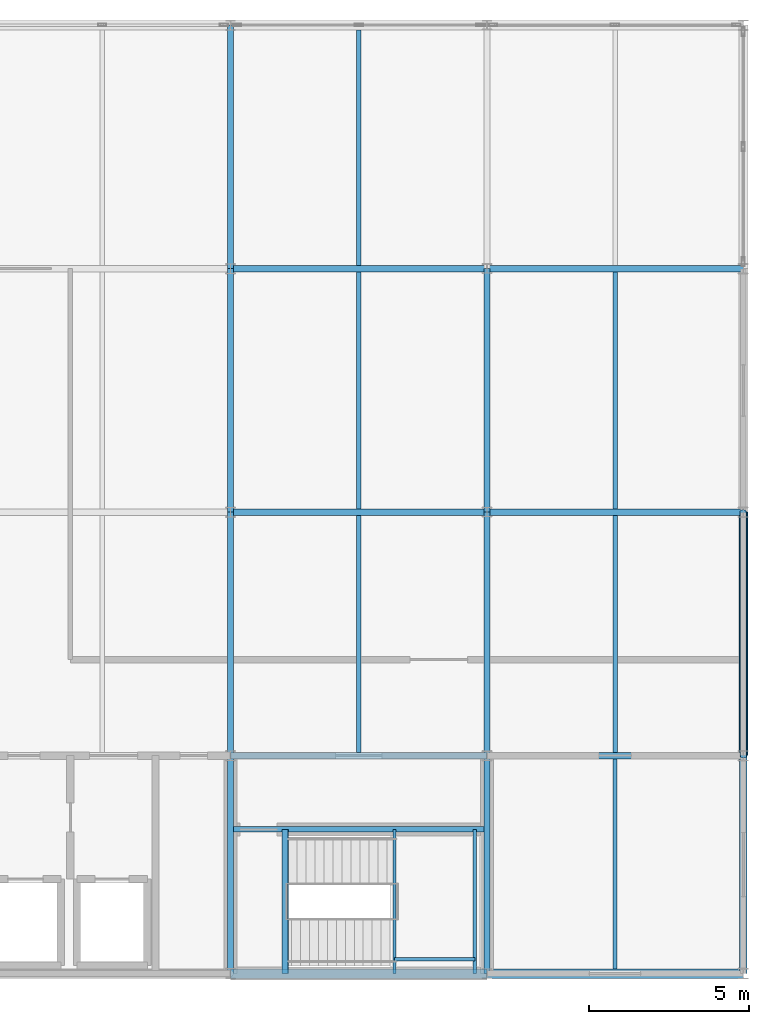
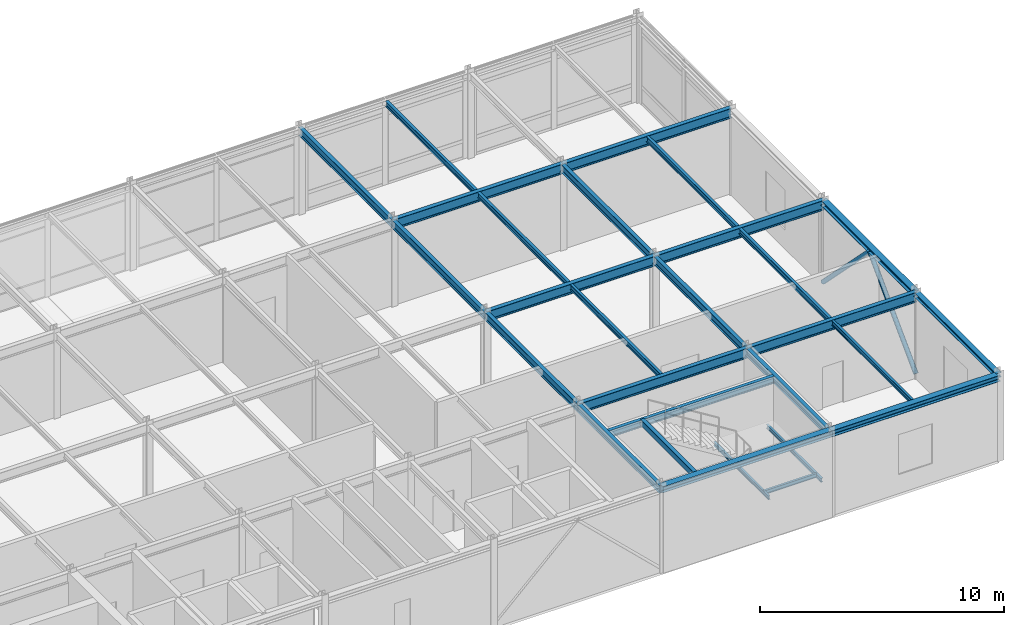
# One storey, part 6 of 12: 28 beams, 2 members.
"""IFC4 building model written with IfcOpenShell, lengths in metres."""

import ifcopenshell
import ifcopenshell.guid

model = None  # the IFC model being written
_history = None  # IfcOwnerHistory: only IFC2X3 demands one
_inside = {}  # id of a spatial element -> (the spatial element, [elements in it])
_under = {}  # id of a project, library or spatial element -> (it, [spatial elements below it])
_declared = {}  # id of a project -> (the project, [libraries it declares])
_typed = {}  # id of a type object -> (the type object, [elements of that type])
_made_of = {}  # id of a material, layer set ... -> (it, [elements and type objects made of it])


def new_model(schema):
    """Start an empty IFC model of exactly this schema.

    Asked for "IFC4X3", IfcOpenShell would pick the latest addendum, in which some entities
    have other attributes; the version numbers below select the first issue.
    IFC2X3 requires an IfcOwnerHistory on every rooted entity: one is made here for all.
    """
    global model, _history
    if schema == "IFC4X3":
        model = ifcopenshell.file(schema_version=(4, 3, 0, 0))
    else:
        model = ifcopenshell.file(schema=schema)
    _inside.clear()
    _under.clear()
    _declared.clear()
    _typed.clear()
    _made_of.clear()
    _history = None
    if model.schema == "IFC2X3":
        org = make("IfcOrganization", Name="unknown")
        user = make(
            "IfcPersonAndOrganization",
            ThePerson=make("IfcPerson", FamilyName="unknown"),
            TheOrganization=org,
        )
        app = make(
            "IfcApplication",
            ApplicationDeveloper=org,
            Version="unknown",
            ApplicationFullName="unknown",
            ApplicationIdentifier="unknown",
        )
        _history = make(
            "IfcOwnerHistory",
            OwningUser=user,
            OwningApplication=app,
            ChangeAction="ADDED",
            CreationDate=0,
        )
    return model


def make(cls, **values):
    """One entity of the class cls with the attributes given. An attribute that is None is left unset."""
    return model.create_entity(
        cls, **{name: value for name, value in values.items() if value is not None}
    )


def rooted(cls, **values):
    """An entity with a GlobalId (a new one), such as an element, a storey or a relation."""
    return make(cls, GlobalId=ifcopenshell.guid.new(), OwnerHistory=_history, **values)


def si_unit(unit_type, name, prefix=None):
    """IfcSIUnit, for example si_unit("LENGTHUNIT", "METRE", prefix="MILLI")."""
    return make("IfcSIUnit", UnitType=unit_type, Prefix=prefix, Name=name)


def assignment(units):
    """IfcUnitAssignment: the units of a project."""
    return None if units is None else make("IfcUnitAssignment", Units=units)


def point(xyz):
    """IfcCartesianPoint."""
    return None if xyz is None else make("IfcCartesianPoint", Coordinates=xyz)


def direction(xyz):
    """IfcDirection."""
    return None if xyz is None else make("IfcDirection", DirectionRatios=xyz)


def frame(location, z_axis=None, x_axis=None):
    """IfcAxis2Placement3D, a coordinate frame: its origin and axes. An axis left out is left unset."""
    return make(
        "IfcAxis2Placement3D",
        Location=point(location),
        Axis=direction(z_axis),
        RefDirection=direction(x_axis),
    )


def frame_2d(location, x_axis=None):
    """IfcAxis2Placement2D, a coordinate frame in the plane: its origin and x axis."""
    return make(
        "IfcAxis2Placement2D", Location=point(location), RefDirection=direction(x_axis)
    )


def origin():
    """The frame at (0, 0, 0) with its axes left unset."""
    return frame((0.0, 0.0, 0.0))


def origin_2d():
    """The frame at (0, 0) in the plane with its x axis left unset."""
    return frame_2d((0.0, 0.0))


def place(relative_to, where):
    """IfcLocalPlacement: puts the frame where relative to a parent placement (None: the world)."""
    return make(
        "IfcLocalPlacement", PlacementRelTo=relative_to, RelativePlacement=where
    )


def context(
    kind, dimensions, precision=None, world=None, true_north=None, identifier=None
):
    """IfcGeometricRepresentationContext, for example the 3D "Model" context."""
    return make(
        "IfcGeometricRepresentationContext",
        ContextIdentifier=identifier,
        ContextType=kind,
        CoordinateSpaceDimension=dimensions,
        Precision=precision,
        WorldCoordinateSystem=world,
        TrueNorth=true_north,
    )


def subcontext(parent, identifier, kind, view, scale=None):
    """IfcGeometricRepresentationSubContext, for example "Body" below "Model"."""
    return make(
        "IfcGeometricRepresentationSubContext",
        ContextIdentifier=identifier,
        ContextType=kind,
        ParentContext=parent,
        TargetScale=scale,
        TargetView=view,
    )


def project(units=None, contexts=None):
    """IfcProject with its units and contexts."""
    return rooted(
        "IfcProject",
        Name="project",
        RepresentationContexts=contexts,
        UnitsInContext=assignment(units),
    )


def spatial(cls, under=None, at=None, **own):
    """A site, building, storey or space (cls), placed at a placement, below another one or the project."""
    s = rooted(cls, ObjectPlacement=at, **own)
    if under is not None:
        _under.setdefault(under.id(), (under, []))[1].append(s)
    return s


def profile(cls, at=None, kind="AREA", **sizes):
    """A parametric profile (cls). Its sizes go by their IFC names, for example OverallWidth=200.0."""
    return make(cls, ProfileType=kind, Position=at, **sizes)


def hollow_rectangle(**sizes):
    """IfcRectangleHollowProfileDef."""
    return profile("IfcRectangleHollowProfileDef", **sizes)


def hollow_circle(**sizes):
    """IfcCircleHollowProfileDef."""
    return profile("IfcCircleHollowProfileDef", **sizes)


def i_section(**sizes):
    """IfcIShapeProfileDef."""
    return profile("IfcIShapeProfileDef", **sizes)


def extrude(swept, where, along, depth):
    """IfcExtrudedAreaSolid: the profile swept, set in the frame where, extruded along a direction by depth."""
    return make(
        "IfcExtrudedAreaSolid",
        SweptArea=swept,
        Position=where,
        ExtrudedDirection=direction(along),
        Depth=depth,
    )


def shape(context_of_items, identifier, shape_type, items):
    """IfcShapeRepresentation: the items that make up one representation, for example the "Body"."""
    return make(
        "IfcShapeRepresentation",
        ContextOfItems=context_of_items,
        RepresentationIdentifier=identifier,
        RepresentationType=shape_type,
        Items=items,
    )


def material(Name=None, Category=None):
    """IfcMaterial."""
    return make("IfcMaterial", Name=Name, Category=Category)


def material_profile(
    of_material, cross_section, Name=None, Category=None, Priority=None
):
    """IfcMaterialProfile: a cross section and its material."""
    return make(
        "IfcMaterialProfile",
        Name=Name,
        Material=of_material,
        Profile=cross_section,
        Priority=Priority,
        Category=Category,
    )


def profile_set(profiles, Name=None, composite=None):
    """IfcMaterialProfileSet."""
    return make(
        "IfcMaterialProfileSet",
        Name=Name,
        MaterialProfiles=profiles,
        CompositeProfile=composite,
    )


def made_of(thing, what):
    """Note that an element or type object is made of a material, layer set ...; save() writes the relation."""
    if what is not None:
        _made_of.setdefault(what.id(), (what, []))[1].append(thing)
    return thing


def type_object(cls, material=None, **own):
    """A type object (cls), such as IfcWallType, which elements share."""
    return made_of(rooted(cls, **own), material)


def element(
    cls,
    number,
    at=None,
    inside=None,
    cuts=None,
    type_object=None,
    material=None,
    context=None,
    identifier="Body",
    shape_type=None,
    held_by="IfcProductDefinitionShape",
    body=None,
    shapes=None,
    **own,
):
    """One element of the class cls, such as IfcWall. Its Tag is "e" and its number.

    at: its placement. inside: the storey or other place that contains it. cuts: it is an
    opening in that element (IfcRelVoidsElement). A single representation is given by context,
    identifier, shape_type and body (its items); several are given by shapes. held_by: the class
    of the entity that holds the representations. save() writes the other relations.
    """
    e = rooted(cls, Tag="e%d" % number, ObjectPlacement=at, **own)
    if body is not None:
        shapes = [shape(context, identifier, shape_type, body)]
    if shapes is not None:
        e.Representation = make(held_by, Representations=shapes)
    if inside is not None:
        _inside.setdefault(inside.id(), (inside, []))[1].append(e)
    if cuts is not None:
        rooted(
            "IfcRelVoidsElement", RelatingBuildingElement=cuts, RelatedOpeningElement=e
        )
    if type_object is not None:
        _typed.setdefault(type_object.id(), (type_object, []))[1].append(e)
    return made_of(e, material)


def aggregate(whole, parts):
    """IfcRelAggregates: a whole, such as a stair, and the parts it consists of."""
    return rooted("IfcRelAggregates", RelatingObject=whole, RelatedObjects=parts)


def save(model, path):
    """Write the relations noted so far, then the file.

    IfcRelAggregates (storeys below a building ...), IfcRelContainedInSpatialStructure (elements
    in a storey), IfcRelDefinesByType, IfcRelAssociatesMaterial and IfcRelDeclares: one each for
    every whole, place, type object, material and project.
    """
    for whole, parts in _under.values():
        aggregate(whole, parts)
    for where, things in _inside.values():
        rooted(
            "IfcRelContainedInSpatialStructure",
            RelatedElements=things,
            RelatingStructure=where,
        )
    for kind, things in _typed.values():
        rooted("IfcRelDefinesByType", RelatedObjects=things, RelatingType=kind)
    for what, things in _made_of.values():
        rooted("IfcRelAssociatesMaterial", RelatedObjects=things, RelatingMaterial=what)
    for by, libraries in _declared.values():
        rooted("IfcRelDeclares", RelatingContext=by, RelatedDefinitions=libraries)
    model.write(path)


model = new_model("IFC4")

# Units and contexts
model_context = context("Model", 3, precision=1e-05, world=origin(), true_north=direction((0.0, 1.0)))
body_context = subcontext(model_context, "Body", "Model", "MODEL_VIEW")
ifc_project = project(units=[si_unit("LENGTHUNIT", "METRE"), si_unit("AREAUNIT", "SQUARE_METRE"), si_unit("VOLUMEUNIT", "CUBIC_METRE"), si_unit("PLANEANGLEUNIT", "RADIAN"), si_unit("MASSUNIT", "GRAM", prefix="KILO")], contexts=[model_context])

# Site, building, storey
site_placement = place(None, origin())
site = spatial("IfcSite", under=ifc_project, at=site_placement, CompositionType="ELEMENT")
building_placement = place(site_placement, origin())
building = spatial("IfcBuilding", under=site, at=building_placement, Name="Shalkamar Park Central Library", CompositionType="ELEMENT")
storey_placement = place(building_placement, frame((0.0, 0.0, 67.800048828125)))
storey = spatial("IfcBuildingStorey", under=building, at=storey_placement, Name="L17", CompositionType="ELEMENT", Elevation=67.800048828125)

# Beams
ifc_material = material(Name="Steel S355", Category="steel")
ifc_material_profile_1 = material_profile(ifc_material, i_section(OverallWidth=0.10009765625, OverallDepth=0.199951171875, WebThickness=0.005615234375, FlangeThickness=0.008544921875, FilletRadius=0.011962890625, at=origin_2d()), Name="IPE 200")
ifc_profile_set_1 = profile_set([ifc_material_profile_1], Name="Steel S355")
beam_type_1 = type_object("IfcBeamType", Name="Composite Floor Joist IPE200", PredefinedType="JOIST", material=ifc_profile_set_1)
for number, where, z_axis, x_axis, name in (
    (1, (202.1201171875, 248.39990234375, 1.869873046875), (0.0, 1.0, 0.0), (-1.0, 0.0, 0.0), "Stair Half-Landing Beam ST-T2-L17-1"),
    (2, (204.6201171875, 248.39990234375, 1.869873046875), (0.0, 1.0, 0.0), (-1.0, 0.0, 0.0), "Stair Half-Landing Beam ST-T2-L17-2"),
):
    element("IfcBeam", number, at=place(storey_placement, frame(where, z_axis=z_axis, x_axis=x_axis)), inside=storey, type_object=beam_type_1, Name=name, PredefinedType="JOIST", context=body_context, shape_type="SweptSolid", body=[
        extrude(i_section(OverallWidth=0.10009765625, OverallDepth=0.199951171875, WebThickness=0.005615234375, FlangeThickness=0.008544921875, FilletRadius=0.011962890625, at=origin_2d()), origin(), (0.0, 0.0, 1.0), 4.5),
    ])
beam_1_placement = place(storey_placement, frame((202.1201171875, 248.85009765625, 1.869873046875), z_axis=(1.0, 0.0, 0.0), x_axis=(0.0, 1.0, 0.0)))
element("IfcBeam", 3, at=beam_1_placement, inside=storey, type_object=beam_type_1, Name="Stair Half-Landing Cross Tie ST-T2-L17-3", PredefinedType="JOIST", context=body_context, shape_type="SweptSolid", body=[
    extrude(i_section(OverallWidth=0.10009765625, OverallDepth=0.199951171875, WebThickness=0.005615234375, FlangeThickness=0.008544921875, FilletRadius=0.011962890625, at=origin_2d()), origin(), (0.0, 0.0, 1.0), 2.5),
])
ifc_material_profile_2 = material_profile(ifc_material, i_section(OverallWidth=0.1201171875, OverallDepth=0.239990234375, WebThickness=0.006103515625, FlangeThickness=0.009765625, FilletRadius=0.014892578125, at=origin_2d()), Name="IPE 240")
ifc_profile_set_2 = profile_set([ifc_material_profile_2], Name="Steel S355")
beam_type_2 = type_object("IfcBeamType", Name="Composite Floor Joist IPE240", PredefinedType="JOIST", material=ifc_profile_set_2)
beam_2_placement = place(storey_placement, frame((209.0, 248.548095703125, 4.179931640625), z_axis=(0.0, 1.0, 0.0), x_axis=(-1.0, 0.0, 0.0)))
element("IfcBeam", 4, at=beam_2_placement, inside=storey, type_object=beam_type_2, Name="Composite Joist 12/B-1 (L17)", PredefinedType="JOIST", context=body_context, shape_type="SweptSolid", body=[
    extrude(i_section(OverallWidth=0.1201171875, OverallDepth=0.239990234375, WebThickness=0.006103515625, FlangeThickness=0.009765625, FilletRadius=0.014892578125, at=origin_2d()), origin(), (0.0, 0.0, 1.0), 6.553955078125),
])
ifc_material_profile_3 = material_profile(ifc_material, i_section(OverallWidth=0.135009765625, OverallDepth=0.27001953125, WebThickness=0.006591796875, FlangeThickness=0.01025390625, FilletRadius=0.014892578125, at=origin_2d()), Name="IPE 270")
ifc_profile_set_3 = profile_set([ifc_material_profile_3], Name="Steel S355")
beam_type_3 = type_object("IfcBeamType", Name="Composite Floor Joist IPE270", PredefinedType="JOIST", material=ifc_profile_set_3)
beam_3_placement = place(storey_placement, frame((201.0, 255.298095703125, 4.1650390625), z_axis=(0.0, 1.0, 0.0), x_axis=(-1.0, 0.0, 0.0)))
element("IfcBeam", 5, at=beam_3_placement, inside=storey, type_object=beam_type_3, Name="Composite Joist 11/C-1 (L17)", PredefinedType="JOIST", context=body_context, shape_type="SweptSolid", body=[
    extrude(i_section(OverallWidth=0.135009765625, OverallDepth=0.27001953125, WebThickness=0.006591796875, FlangeThickness=0.01025390625, FilletRadius=0.014892578125, at=origin_2d()), origin(), (0.0, 0.0, 1.0), 7.40380859375),
])
beam_4_placement = place(storey_placement, frame((201.0, 262.89794921875, 4.1650390625), z_axis=(0.0, 1.0, 0.0), x_axis=(-1.0, 0.0, 0.0)))
element("IfcBeam", 6, at=beam_4_placement, inside=storey, type_object=beam_type_3, Name="Composite Joist 11/D-1 (L17)", PredefinedType="JOIST", context=body_context, shape_type="SweptSolid", body=[
    extrude(i_section(OverallWidth=0.135009765625, OverallDepth=0.27001953125, WebThickness=0.006591796875, FlangeThickness=0.01025390625, FilletRadius=0.014892578125, at=origin_2d()), origin(), (0.0, 0.0, 1.0), 7.404052734375),
])
beam_5_placement = place(storey_placement, frame((201.0, 270.498046875, 4.1650390625), z_axis=(0.0, 1.0, 0.0), x_axis=(-1.0, 0.0, 0.0)))
element("IfcBeam", 7, at=beam_5_placement, inside=storey, type_object=beam_type_3, Name="Composite Joist 11/E-1 (L17)", PredefinedType="JOIST", context=body_context, shape_type="SweptSolid", body=[
    extrude(i_section(OverallWidth=0.135009765625, OverallDepth=0.27001953125, WebThickness=0.006591796875, FlangeThickness=0.01025390625, FilletRadius=0.014892578125, at=origin_2d()), origin(), (0.0, 0.0, 1.0), 7.35400390625),
])
beam_6_placement = place(storey_placement, frame((209.0, 255.298095703125, 4.1650390625), z_axis=(0.0, 1.0, 0.0), x_axis=(-1.0, 0.0, 0.0)))
element("IfcBeam", 8, at=beam_6_placement, inside=storey, type_object=beam_type_3, Name="Composite Joist 12/C-1 (L17)", PredefinedType="JOIST", context=body_context, shape_type="SweptSolid", body=[
    extrude(i_section(OverallWidth=0.135009765625, OverallDepth=0.27001953125, WebThickness=0.006591796875, FlangeThickness=0.01025390625, FilletRadius=0.014892578125, at=origin_2d()), origin(), (0.0, 0.0, 1.0), 7.40380859375),
])
beam_7_placement = place(storey_placement, frame((209.0, 262.89794921875, 4.1650390625), z_axis=(0.0, 1.0, 0.0), x_axis=(-1.0, 0.0, 0.0)))
element("IfcBeam", 9, at=beam_7_placement, inside=storey, type_object=beam_type_3, Name="Composite Joist 12/D-1 (L17)", PredefinedType="JOIST", context=body_context, shape_type="SweptSolid", body=[
    extrude(i_section(OverallWidth=0.135009765625, OverallDepth=0.27001953125, WebThickness=0.006591796875, FlangeThickness=0.01025390625, FilletRadius=0.014892578125, at=origin_2d()), origin(), (0.0, 0.0, 1.0), 7.404052734375),
])

# Members
ifc_material_profile_4 = material_profile(ifc_material, hollow_circle(Radius=0.109619140625, WallThickness=0.010009765625, at=origin_2d()), Name="CHS 219.1x10")
ifc_profile_set_4 = profile_set([ifc_material_profile_4], Name="Steel S355")
member_type = type_object("IfcMemberType", Name="Diagonal Brace CHS219", PredefinedType="BRACE", material=ifc_profile_set_4)
for number, where, z_axis, x_axis, name in (
    (10, (213.0, 255.199951171875, 0.14990234375), (0.0, 0.702465710761, 0.711717588096), (-1.0, 0.0, 0.0), "Chevron Brace TW-E Leg A (L17)"),
    (11, (213.0, 262.800048828125, 0.14990234375), (0.0, -0.702465710761, 0.711717588096), (1.0, 0.0, 0.0), "Chevron Brace TW-E Leg B (L17)"),
):
    element("IfcMember", number, at=place(storey_placement, frame(where, z_axis=z_axis, x_axis=x_axis)), inside=storey, type_object=member_type, Name=name, PredefinedType="BRACE", context=body_context, shape_type="SweptSolid", body=[
        extrude(hollow_circle(Radius=0.109619140625, WallThickness=0.010009765625, at=origin_2d()), origin(), (0.0, 0.0, 1.0), 5.40966796875),
    ])

# Beams
ifc_material_profile_5 = material_profile(ifc_material, i_section(OverallWidth=0.239990234375, OverallDepth=0.22998046875, WebThickness=0.007568359375, FlangeThickness=0.011962890625, FilletRadius=0.02099609375, at=origin_2d()), Name="HEA 240")
ifc_profile_set_5 = profile_set([ifc_material_profile_5], Name="Steel S355")
beam_type_4 = type_object("IfcBeamType", Name="Perimeter Spandrel Beam HEA240", PredefinedType="SPANDREL", material=ifc_profile_set_5)
beam_8_placement = place(storey_placement, frame((213.0, 248.39990234375, 4.18505859375), z_axis=(0.0, 1.0, 0.0), x_axis=(-1.0, 0.0, 0.0)))
element("IfcBeam", 12, at=beam_8_placement, inside=storey, type_object=beam_type_4, Name="Beam 13:B-C (L17)", PredefinedType="SPANDREL", context=body_context, shape_type="SweptSolid", body=[
    extrude(i_section(OverallWidth=0.239990234375, OverallDepth=0.22998046875, WebThickness=0.007568359375, FlangeThickness=0.011962890625, FilletRadius=0.02099609375, at=origin_2d()), origin(), (0.0, 0.0, 1.0), 6.800048828125),
])
ifc_material_profile_6 = material_profile(ifc_material, i_section(OverallWidth=0.280029296875, OverallDepth=0.27001953125, WebThickness=0.008056640625, FlangeThickness=0.012939453125, FilletRadius=0.02392578125, at=origin_2d()), Name="HEA 280")
ifc_profile_set_6 = profile_set([ifc_material_profile_6], Name="Steel S355")
beam_type_5 = type_object("IfcBeamType", Name="Perimeter Spandrel Beam HEA280", PredefinedType="SPANDREL", material=ifc_profile_set_6)
beam_9_placement = place(storey_placement, frame((213.0, 255.199951171875, 4.1650390625), z_axis=(0.0, 1.0, 0.0), x_axis=(-1.0, 0.0, 0.0)))
element("IfcBeam", 13, at=beam_9_placement, inside=storey, type_object=beam_type_5, Name="Beam 13:C-D (L17)", PredefinedType="SPANDREL", context=body_context, shape_type="SweptSolid", body=[
    extrude(i_section(OverallWidth=0.280029296875, OverallDepth=0.27001953125, WebThickness=0.008056640625, FlangeThickness=0.012939453125, FilletRadius=0.02392578125, at=origin_2d()), origin(), (0.0, 0.0, 1.0), 7.60009765625),
])
ifc_material_profile_7 = material_profile(ifc_material, i_section(OverallWidth=0.300048828125, OverallDepth=0.31005859375, WebThickness=0.009033203125, FlangeThickness=0.015380859375, FilletRadius=0.027099609375, at=origin_2d()), Name="HEA 320")
ifc_profile_set_7 = profile_set([ifc_material_profile_7], Name="Steel S355")
beam_type_6 = type_object("IfcBeamType", Name="Perimeter Spandrel Beam HEA320", PredefinedType="SPANDREL", material=ifc_profile_set_7)
for number, where, z_axis, x_axis, name in (
    (14, (197.0, 248.39990234375, 4.14501953125), (1.0, 0.0, 0.0), (0.0, 1.0, 0.0), "Beam B:11-12 (L17)"),
    (15, (205.0, 248.39990234375, 4.14501953125), (1.0, 0.0, 0.0), (0.0, 1.0, 0.0), "Beam B:12-13 (L17)"),
):
    element("IfcBeam", number, at=place(storey_placement, frame(where, z_axis=z_axis, x_axis=x_axis)), inside=storey, type_object=beam_type_6, Name=name, PredefinedType="SPANDREL", context=body_context, shape_type="SweptSolid", body=[
        extrude(i_section(OverallWidth=0.300048828125, OverallDepth=0.31005859375, WebThickness=0.009033203125, FlangeThickness=0.015380859375, FilletRadius=0.027099609375, at=origin_2d()), origin(), (0.0, 0.0, 1.0), 8.0),
    ])
ifc_material_profile_8 = material_profile(ifc_material, i_section(OverallWidth=0.169921875, OverallDepth=0.360107421875, WebThickness=0.008056640625, FlangeThickness=0.0126953125, FilletRadius=0.01806640625, at=origin_2d()), Name="IPE 360")
ifc_profile_set_8 = profile_set([ifc_material_profile_8], Name="Steel S355")
beam_type_7 = type_object("IfcBeamType", Name="Primary Girder IPE360", PredefinedType="BEAM", material=ifc_profile_set_8)
beam_10_placement = place(storey_placement, frame((197.087890625, 252.89990234375, 4.119873046875), z_axis=(1.0, 0.0, 0.0), x_axis=(0.0, 1.0, 0.0)))
element("IfcBeam", 16, at=beam_10_placement, inside=storey, type_object=beam_type_7, Name="CORE-T2 Stairwell Divider Beam (L17)", PredefinedType="BEAM", context=body_context, shape_type="SweptSolid", body=[
    extrude(i_section(OverallWidth=0.169921875, OverallDepth=0.360107421875, WebThickness=0.008056640625, FlangeThickness=0.0126953125, FilletRadius=0.01806640625, at=origin_2d()), origin(), (0.0, 0.0, 1.0), 7.82421875),
])
ifc_material_profile_9 = material_profile(ifc_material, i_section(OverallWidth=0.179931640625, OverallDepth=0.39990234375, WebThickness=0.008544921875, FlangeThickness=0.013427734375, FilletRadius=0.02099609375, at=origin_2d()), Name="IPE 400")
ifc_profile_set_9 = profile_set([ifc_material_profile_9], Name="Steel S355")
beam_type_8 = type_object("IfcBeamType", Name="Primary Girder IPE400", PredefinedType="BEAM", material=ifc_profile_set_9)
beam_11_placement = place(storey_placement, frame((197.0, 248.39990234375, 4.099853515625), z_axis=(0.0, 1.0, 0.0), x_axis=(-1.0, 0.0, 0.0)))
element("IfcBeam", 17, at=beam_11_placement, inside=storey, type_object=beam_type_8, Name="Beam 11:B-C (L17)", PredefinedType="BEAM", context=body_context, shape_type="SweptSolid", body=[
    extrude(i_section(OverallWidth=0.179931640625, OverallDepth=0.39990234375, WebThickness=0.008544921875, FlangeThickness=0.013427734375, FilletRadius=0.02099609375, at=origin_2d()), origin(), (0.0, 0.0, 1.0), 6.800048828125),
])
beam_12_placement = place(storey_placement, frame((197.0, 255.199951171875, 4.099853515625), z_axis=(0.0, 1.0, 0.0), x_axis=(-1.0, 0.0, 0.0)))
element("IfcBeam", 18, at=beam_12_placement, inside=storey, type_object=beam_type_8, Name="Beam 11:C-D (L17)", PredefinedType="BEAM", context=body_context, shape_type="SweptSolid", body=[
    extrude(i_section(OverallWidth=0.179931640625, OverallDepth=0.39990234375, WebThickness=0.008544921875, FlangeThickness=0.013427734375, FilletRadius=0.02099609375, at=origin_2d()), origin(), (0.0, 0.0, 1.0), 7.60009765625),
])
beam_13_placement = place(storey_placement, frame((197.0, 262.800048828125, 4.099853515625), z_axis=(0.0, 1.0, 0.0), x_axis=(-1.0, 0.0, 0.0)))
element("IfcBeam", 19, at=beam_13_placement, inside=storey, type_object=beam_type_8, Name="Beam 11:D-E (L17)", PredefinedType="BEAM", context=body_context, shape_type="SweptSolid", body=[
    extrude(i_section(OverallWidth=0.179931640625, OverallDepth=0.39990234375, WebThickness=0.008544921875, FlangeThickness=0.013427734375, FilletRadius=0.02099609375, at=origin_2d()), origin(), (0.0, 0.0, 1.0), 7.599853515625),
])
beam_14_placement = place(storey_placement, frame((197.0, 270.39990234375, 4.099853515625), z_axis=(0.0, 1.0, 0.0), x_axis=(-1.0, 0.0, 0.0)))
element("IfcBeam", 20, at=beam_14_placement, inside=storey, type_object=beam_type_8, Name="Beam 11:E-F (L17)", PredefinedType="BEAM", context=body_context, shape_type="SweptSolid", body=[
    extrude(i_section(OverallWidth=0.179931640625, OverallDepth=0.39990234375, WebThickness=0.008544921875, FlangeThickness=0.013427734375, FilletRadius=0.02099609375, at=origin_2d()), origin(), (0.0, 0.0, 1.0), 7.60009765625),
])
beam_15_placement = place(storey_placement, frame((205.0, 248.39990234375, 4.099853515625), z_axis=(0.0, 1.0, 0.0), x_axis=(-1.0, 0.0, 0.0)))
element("IfcBeam", 21, at=beam_15_placement, inside=storey, type_object=beam_type_8, Name="Beam 12:B-C (L17)", PredefinedType="BEAM", context=body_context, shape_type="SweptSolid", body=[
    extrude(i_section(OverallWidth=0.179931640625, OverallDepth=0.39990234375, WebThickness=0.008544921875, FlangeThickness=0.013427734375, FilletRadius=0.02099609375, at=origin_2d()), origin(), (0.0, 0.0, 1.0), 6.800048828125),
])
beam_16_placement = place(storey_placement, frame((205.0, 255.199951171875, 4.099853515625), z_axis=(0.0, 1.0, 0.0), x_axis=(-1.0, 0.0, 0.0)))
element("IfcBeam", 22, at=beam_16_placement, inside=storey, type_object=beam_type_8, Name="Beam 12:C-D (L17)", PredefinedType="BEAM", context=body_context, shape_type="SweptSolid", body=[
    extrude(i_section(OverallWidth=0.179931640625, OverallDepth=0.39990234375, WebThickness=0.008544921875, FlangeThickness=0.013427734375, FilletRadius=0.02099609375, at=origin_2d()), origin(), (0.0, 0.0, 1.0), 7.60009765625),
])
beam_17_placement = place(storey_placement, frame((205.0, 262.800048828125, 4.099853515625), z_axis=(0.0, 1.0, 0.0), x_axis=(-1.0, 0.0, 0.0)))
element("IfcBeam", 23, at=beam_17_placement, inside=storey, type_object=beam_type_8, Name="Beam 12:D-E (L17)", PredefinedType="BEAM", context=body_context, shape_type="SweptSolid", body=[
    extrude(i_section(OverallWidth=0.179931640625, OverallDepth=0.39990234375, WebThickness=0.008544921875, FlangeThickness=0.013427734375, FilletRadius=0.02099609375, at=origin_2d()), origin(), (0.0, 0.0, 1.0), 7.599853515625),
])
ifc_material_profile_10 = material_profile(ifc_material, i_section(OverallWidth=0.199951171875, OverallDepth=0.5, WebThickness=0.01025390625, FlangeThickness=0.01611328125, FilletRadius=0.02099609375, at=origin_2d()), Name="IPE 500")
ifc_profile_set_10 = profile_set([ifc_material_profile_10], Name="Steel S355")
beam_type_9 = type_object("IfcBeamType", Name="Primary Girder IPE500", PredefinedType="BEAM", material=ifc_profile_set_10)
for number, where, z_axis, x_axis, name in (
    (24, (197.0, 255.199951171875, 4.050048828125), (1.0, 0.0, 0.0), (0.0, 1.0, 0.0), "Beam C:11-12 (L17)"),
    (25, (205.0, 255.199951171875, 4.050048828125), (1.0, 0.0, 0.0), (0.0, 1.0, 0.0), "Beam C:12-13 (L17)"),
    (26, (197.0, 262.800048828125, 4.050048828125), (1.0, 0.0, 0.0), (0.0, 1.0, 0.0), "Beam D:11-12 (L17)"),
    (27, (205.0, 262.800048828125, 4.050048828125), (1.0, 0.0, 0.0), (0.0, 1.0, 0.0), "Beam D:12-13 (L17)"),
    (28, (197.0, 270.39990234375, 4.050048828125), (1.0, 0.0, 0.0), (0.0, 1.0, 0.0), "Beam E:11-12 (L17)"),
    (29, (205.0, 270.39990234375, 4.050048828125), (1.0, 0.0, 0.0), (0.0, 1.0, 0.0), "Beam E:12-13 (L17)"),
):
    element("IfcBeam", number, at=place(storey_placement, frame(where, z_axis=z_axis, x_axis=x_axis)), inside=storey, type_object=beam_type_9, Name=name, PredefinedType="BEAM", context=body_context, shape_type="SweptSolid", body=[
        extrude(i_section(OverallWidth=0.199951171875, OverallDepth=0.5, WebThickness=0.01025390625, FlangeThickness=0.01611328125, FilletRadius=0.02099609375, at=origin_2d()), origin(), (0.0, 0.0, 1.0), 8.0),
    ])
ifc_material_profile_11 = material_profile(ifc_material, hollow_rectangle(XDim=0.199951171875, YDim=0.300048828125, WallThickness=0.011962890625, InnerFilletRadius=0.011962890625, OuterFilletRadius=0.01806640625, at=origin_2d()), Name="RHS 300x200x12")
ifc_profile_set_11 = profile_set([ifc_material_profile_11], Name="Steel S355")
beam_type_10 = type_object("IfcBeamType", Name="Stair Trimmer Box RHS300x200", PredefinedType="BEAM", material=ifc_profile_set_11)
beam_18_placement = place(storey_placement, frame((198.699951171875, 248.39990234375, 4.14990234375), z_axis=(0.0, 1.0, 0.0), x_axis=(-1.0, 0.0, 0.0)))
element("IfcBeam", 30, at=beam_18_placement, inside=storey, type_object=beam_type_10, Name="Stair Arrival Trimmer Girder ST-T2-L17", PredefinedType="BEAM", context=body_context, shape_type="SweptSolid", body=[
    extrude(hollow_rectangle(XDim=0.199951171875, YDim=0.300048828125, WallThickness=0.011962890625, InnerFilletRadius=0.011962890625, OuterFilletRadius=0.01806640625, at=origin_2d()), origin(), (0.0, 0.0, 1.0), 4.5),
])

save(model, "model.ifc")
